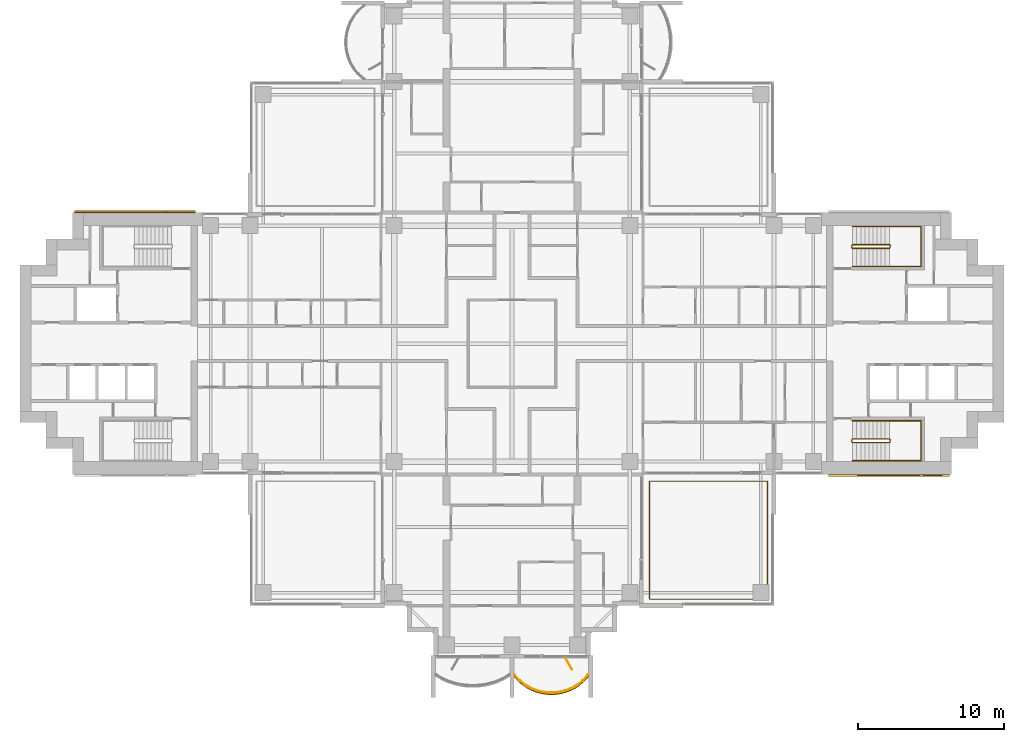
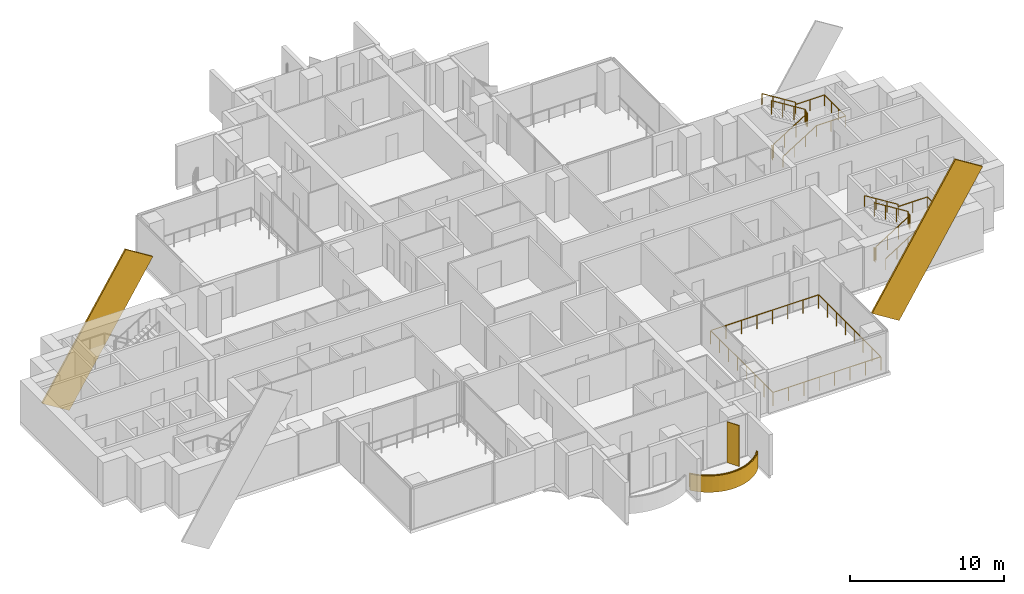
# One storey, part 17 of 19: 6 railings, 3 coverings, 1 shading device.
"""IFC4 building model written with IfcOpenShell, lengths in metres."""

from ifc_helpers import new_model, si_unit, direction, frame, origin, origin_2d, place, context, subcontext, project, spatial, polyline, rectangle, outline, extrude, material, layer, layer_set, material_profile, profile_set, type_object, element, save


model = new_model("IFC4")

# Units and contexts
model_context = context("Model", 3, precision=1e-05, world=origin(), true_north=direction((0.0, 1.0)))
body_context = subcontext(model_context, "Body", "Model", "MODEL_VIEW")
ifc_project = project(units=[si_unit("LENGTHUNIT", "METRE"), si_unit("AREAUNIT", "SQUARE_METRE"), si_unit("VOLUMEUNIT", "CUBIC_METRE"), si_unit("PLANEANGLEUNIT", "RADIAN"), si_unit("MASSUNIT", "GRAM", prefix="KILO")], contexts=[model_context])

# Site, building, storey
site_placement = place(None, origin())
site = spatial("IfcSite", under=ifc_project, at=site_placement, CompositionType="ELEMENT")
building_placement = place(site_placement, origin())
building = spatial("IfcBuilding", under=site, at=building_placement, Name="Perihelion Cross Residences", CompositionType="ELEMENT")
storey_placement = place(building_placement, frame((0.0, 0.0, 105.89990234375)))
storey = spatial("IfcBuildingStorey", under=building, at=storey_placement, Name="L24", CompositionType="ELEMENT", Elevation=105.89990234375)

# Covering
ifc_material_1 = material(Name="Bronze anodised aluminium", Category="aluminium")
ifc_layer_1 = layer(ifc_material_1, 0.070068359375)
ifc_layer_set_1 = layer_set([ifc_layer_1], Name="Balcony fascia 1300")
covering_type_1 = type_object("IfcCoveringType", Name="Balcony fascia 1300", PredefinedType="CLADDING", material=ifc_layer_set_1)
covering_placement = place(storey_placement, frame((0.0, 0.0, -0.199951171875)))
element("IfcCovering", 1, at=covering_placement, inside=storey, type_object=covering_type_1, Name="Fascia BF1 L24 south tip south bay 2", PredefinedType="CLADDING", context=body_context, shape_type="SweptSolid", body=[
    extrude(outline(polyline([(0.4951171875, -23.27392578125), (0.89599609375, -23.58251953125), (1.296875, -23.806396484375), (1.69775390625, -23.9638671875), (2.0986328125, -24.064697265625), (2.49951171875, -24.114013671875), (2.900390625, -24.114013671875), (3.30126953125, -24.064697265625), (3.7021484375, -23.9638671875), (4.10302734375, -23.806396484375), (4.50390625, -23.58251953125), (4.90478515625, -23.27392578125), (5.25, -22.90283203125), (5.25, -22.800048828125), (4.857666015625, -23.22216796875), (4.46533203125, -23.524169921875), (4.072998046875, -23.7431640625), (3.6806640625, -23.897216796875), (3.28857421875, -23.995849609375), (2.896240234375, -24.0439453125), (2.50390625, -24.0439453125), (2.111572265625, -23.995849609375), (1.71923828125, -23.897216796875), (1.326904296875, -23.7431640625), (0.9345703125, -23.524169921875), (0.542236328125, -23.22216796875), (0.14990234375, -22.800048828125), (0.14990234375, -22.90283203125), (0.4951171875, -23.27392578125)])), origin(), (0.0, 0.0, 1.0), 1.300048828125),
])

# Railings
ifc_material_2 = material(Name="Bronze anodised aluminium", Category="aluminium")
railing_type_1 = type_object("IfcRailingType", Name="Balcony guard 1100", PredefinedType="GUARDRAIL", material=ifc_material_2)
railing_1_placement = place(storey_placement, frame((0.175048828125, -22.739990234375, 0.0)))
element("IfcRailing", 2, at=railing_1_placement, inside=storey, type_object=railing_type_1, Name="Guard GU1 L24 south tip south bay 2 balcony", PredefinedType="GUARDRAIL", context=body_context, shape_type="SweptSolid", body=[
    extrude(rectangle(XDim=0.048095703125, YDim=0.048095703125, at=origin_2d()), frame((0.0, 0.0, 1.076171875), z_axis=(0.656308349551, -0.754492776844, 0.0), x_axis=(0.754492776844, 0.656308349551, 0.0)), (0.0, 0.0, 1.0), 0.5595703125),
    extrude(rectangle(XDim=0.048095703125, YDim=0.048095703125, at=origin_2d()), frame((0.3671875, -0.422119140625, 1.076171875), z_axis=(0.792422303655, -0.609972862241, 0.0), x_axis=(0.609972862241, 0.792422303655, 0.0)), (0.0, 0.0, 1.0), 0.4951171875),
    extrude(rectangle(XDim=0.048095703125, YDim=0.048095703125, at=origin_2d()), frame((0.759521484375, -0.72412109375, 1.076171875), z_axis=(0.873181568748, -0.487395063576, 0.0), x_axis=(0.487395063576, 0.873181568748, 0.0)), (0.0, 0.0, 1.0), 0.44921875),
    extrude(rectangle(XDim=0.048095703125, YDim=0.048095703125, at=origin_2d()), frame((1.15185546875, -0.943115234375, 1.076171875), z_axis=(0.930617693705, -0.365992770642, 0.0), x_axis=(0.365992770642, 0.930617693705, 0.0)), (0.0, 0.0, 1.0), 0.421630859375),
    extrude(rectangle(XDim=0.048095703125, YDim=0.048095703125, at=origin_2d()), frame((1.544189453125, -1.097412109375, 1.076171875), z_axis=(0.969964714601, -0.243245662716, 0.0), x_axis=(0.243245662716, 0.969964714601, 0.0)), (0.0, 0.0, 1.0), 0.404541015625),
    extrude(rectangle(XDim=0.048095703125, YDim=0.048095703125, at=origin_2d()), frame((1.9365234375, -1.19580078125, 1.076171875), z_axis=(0.992494874491, -0.122286238425, 0.0), x_axis=(0.122286238425, 0.992494874491, 0.0)), (0.0, 0.0, 1.0), 0.395263671875),
    extrude(rectangle(XDim=0.048095703125, YDim=0.048095703125, at=origin_2d()), frame((2.328857421875, -1.244140625, 1.076171875), z_axis=(1.0, 0.0, 0.0), x_axis=(0.0, 1.0, 0.0)), (0.0, 0.0, 1.0), 0.392333984375),
    extrude(rectangle(XDim=0.048095703125, YDim=0.048095703125, at=origin_2d()), frame((2.72119140625, -1.244140625, 1.076171875), z_axis=(0.992494874491, 0.122286238425, 0.0), x_axis=(-0.122286238425, 0.992494874491, 0.0)), (0.0, 0.0, 1.0), 0.395263671875),
    extrude(rectangle(XDim=0.048095703125, YDim=0.048095703125, at=origin_2d()), frame((3.113525390625, -1.19580078125, 1.076171875), z_axis=(0.96992896989, 0.243388153715, 0.0), x_axis=(-0.243388153715, 0.96992896989, 0.0)), (0.0, 0.0, 1.0), 0.404296875),
    extrude(rectangle(XDim=0.048095703125, YDim=0.048095703125, at=origin_2d()), frame((3.505615234375, -1.097412109375, 1.076171875), z_axis=(0.930617693705, 0.365992770642, 0.0), x_axis=(-0.365992770642, 0.930617693705, 0.0)), (0.0, 0.0, 1.0), 0.421630859375),
    extrude(rectangle(XDim=0.048095703125, YDim=0.048095703125, at=origin_2d()), frame((3.89794921875, -0.943115234375, 1.076171875), z_axis=(0.873181568748, 0.487395063576, 0.0), x_axis=(-0.487395063576, 0.873181568748, 0.0)), (0.0, 0.0, 1.0), 0.44921875),
    extrude(rectangle(XDim=0.048095703125, YDim=0.048095703125, at=origin_2d()), frame((4.290283203125, -0.72412109375, 1.076171875), z_axis=(0.792422303655, 0.609972862241, 0.0), x_axis=(-0.609972862241, 0.792422303655, 0.0)), (0.0, 0.0, 1.0), 0.4951171875),
    extrude(rectangle(XDim=0.048095703125, YDim=0.048095703125, at=origin_2d()), frame((4.6826171875, -0.422119140625, 1.076171875), z_axis=(0.656556653543, 0.754276713606, 0.0), x_axis=(-0.754276713606, 0.656556653543, 0.0)), (0.0, 0.0, 1.0), 0.5595703125),
    extrude(rectangle(XDim=0.0419921875, YDim=0.0419921875, at=origin_2d()), origin(), (0.0, 0.0, 1.0), 1.052001953125),
    extrude(rectangle(XDim=0.0419921875, YDim=0.0419921875, at=origin_2d()), frame((0.3671875, -0.422119140625, 0.0)), (0.0, 0.0, 1.0), 1.052001953125),
    extrude(rectangle(XDim=0.0419921875, YDim=0.0419921875, at=origin_2d()), frame((0.759521484375, -0.72412109375, 0.0)), (0.0, 0.0, 1.0), 1.052001953125),
    extrude(rectangle(XDim=0.0419921875, YDim=0.0419921875, at=origin_2d()), frame((1.15185546875, -0.943115234375, 0.0)), (0.0, 0.0, 1.0), 1.052001953125),
    extrude(rectangle(XDim=0.0419921875, YDim=0.0419921875, at=origin_2d()), frame((1.544189453125, -1.097412109375, 0.0)), (0.0, 0.0, 1.0), 1.052001953125),
    extrude(rectangle(XDim=0.0419921875, YDim=0.0419921875, at=origin_2d()), frame((1.9365234375, -1.19580078125, 0.0)), (0.0, 0.0, 1.0), 1.052001953125),
    extrude(rectangle(XDim=0.0419921875, YDim=0.0419921875, at=origin_2d()), frame((2.328857421875, -1.244140625, 0.0)), (0.0, 0.0, 1.0), 1.052001953125),
    extrude(rectangle(XDim=0.0419921875, YDim=0.0419921875, at=origin_2d()), frame((2.72119140625, -1.244140625, 0.0)), (0.0, 0.0, 1.0), 1.052001953125),
    extrude(rectangle(XDim=0.0419921875, YDim=0.0419921875, at=origin_2d()), frame((3.113525390625, -1.19580078125, 0.0)), (0.0, 0.0, 1.0), 1.052001953125),
    extrude(rectangle(XDim=0.0419921875, YDim=0.0419921875, at=origin_2d()), frame((3.505615234375, -1.097412109375, 0.0)), (0.0, 0.0, 1.0), 1.052001953125),
    extrude(rectangle(XDim=0.0419921875, YDim=0.0419921875, at=origin_2d()), frame((3.89794921875, -0.943115234375, 0.0)), (0.0, 0.0, 1.0), 1.052001953125),
    extrude(rectangle(XDim=0.0419921875, YDim=0.0419921875, at=origin_2d()), frame((4.290283203125, -0.72412109375, 0.0)), (0.0, 0.0, 1.0), 1.052001953125),
    extrude(rectangle(XDim=0.0419921875, YDim=0.0419921875, at=origin_2d()), frame((4.6826171875, -0.422119140625, 0.0)), (0.0, 0.0, 1.0), 1.052001953125),
    extrude(rectangle(XDim=0.0419921875, YDim=0.0419921875, at=origin_2d()), frame((5.050048828125, 0.0, 0.0)), (0.0, 0.0, 1.0), 1.052001953125),
])
railing_2_placement = place(storey_placement, frame((17.550048828125, -17.550048828125, 0.0)))
element("IfcRailing", 3, at=railing_2_placement, inside=storey, type_object=railing_type_1, Name="Guard GU1 L24 pocket south-east 1", PredefinedType="GUARDRAIL", context=body_context, shape_type="SweptSolid", body=[
    extrude(rectangle(XDim=0.048095703125, YDim=0.048095703125, at=origin_2d()), frame((0.0, 0.0, 1.076171875), z_axis=(-1.0, 0.0, 0.0), x_axis=(0.0, -1.0, 0.0)), (0.0, 0.0, 1.0), 8.10009765625),
    extrude(rectangle(XDim=0.048095703125, YDim=0.048095703125, at=origin_2d()), frame((-8.10009765625, 0.0, 1.076171875), z_axis=(0.0, 1.0, 0.0), x_axis=(-1.0, 0.0, 0.0)), (0.0, 0.0, 1.0), 8.10009765625),
    extrude(rectangle(XDim=0.048095703125, YDim=0.048095703125, at=origin_2d()), frame((-8.10009765625, 8.10009765625, 1.076171875), z_axis=(1.0, 0.0, 0.0), x_axis=(0.0, 1.0, 0.0)), (0.0, 0.0, 1.0), 8.10009765625),
    extrude(rectangle(XDim=0.048095703125, YDim=0.048095703125, at=origin_2d()), frame((0.0, 8.10009765625, 1.076171875), z_axis=(0.0, -1.0, 0.0), x_axis=(1.0, 0.0, 0.0)), (0.0, 0.0, 1.0), 8.10009765625),
    extrude(rectangle(XDim=0.0419921875, YDim=0.0419921875, at=origin_2d()), origin(), (0.0, 0.0, 1.0), 1.052001953125),
    extrude(rectangle(XDim=0.0419921875, YDim=0.0419921875, at=origin_2d()), frame((-1.1572265625, 0.0, 0.0)), (0.0, 0.0, 1.0), 1.052001953125),
    extrude(rectangle(XDim=0.0419921875, YDim=0.0419921875, at=origin_2d()), frame((-2.314208984375, 0.0, 0.0)), (0.0, 0.0, 1.0), 1.052001953125),
    extrude(rectangle(XDim=0.0419921875, YDim=0.0419921875, at=origin_2d()), frame((-3.471435546875, 0.0, 0.0)), (0.0, 0.0, 1.0), 1.052001953125),
    extrude(rectangle(XDim=0.0419921875, YDim=0.0419921875, at=origin_2d()), frame((-4.628662109375, 0.0, 0.0)), (0.0, 0.0, 1.0), 1.052001953125),
    extrude(rectangle(XDim=0.0419921875, YDim=0.0419921875, at=origin_2d()), frame((-5.785888671875, 0.0, 0.0)), (0.0, 0.0, 1.0), 1.052001953125),
    extrude(rectangle(XDim=0.0419921875, YDim=0.0419921875, at=origin_2d()), frame((-6.94287109375, 0.0, 0.0)), (0.0, 0.0, 1.0), 1.052001953125),
    extrude(rectangle(XDim=0.0419921875, YDim=0.0419921875, at=origin_2d()), frame((-8.10009765625, 0.0, 0.0)), (0.0, 0.0, 1.0), 1.052001953125),
    extrude(rectangle(XDim=0.0419921875, YDim=0.0419921875, at=origin_2d()), frame((-8.10009765625, 1.1572265625, 0.0)), (0.0, 0.0, 1.0), 1.052001953125),
    extrude(rectangle(XDim=0.0419921875, YDim=0.0419921875, at=origin_2d()), frame((-8.10009765625, 2.314208984375, 0.0)), (0.0, 0.0, 1.0), 1.052001953125),
    extrude(rectangle(XDim=0.0419921875, YDim=0.0419921875, at=origin_2d()), frame((-8.10009765625, 3.471435546875, 0.0)), (0.0, 0.0, 1.0), 1.052001953125),
    extrude(rectangle(XDim=0.0419921875, YDim=0.0419921875, at=origin_2d()), frame((-8.10009765625, 4.628662109375, 0.0)), (0.0, 0.0, 1.0), 1.052001953125),
    extrude(rectangle(XDim=0.0419921875, YDim=0.0419921875, at=origin_2d()), frame((-8.10009765625, 5.785888671875, 0.0)), (0.0, 0.0, 1.0), 1.052001953125),
    extrude(rectangle(XDim=0.0419921875, YDim=0.0419921875, at=origin_2d()), frame((-8.10009765625, 6.94287109375, 0.0)), (0.0, 0.0, 1.0), 1.052001953125),
    extrude(rectangle(XDim=0.0419921875, YDim=0.0419921875, at=origin_2d()), frame((-8.10009765625, 8.10009765625, 0.0)), (0.0, 0.0, 1.0), 1.052001953125),
    extrude(rectangle(XDim=0.0419921875, YDim=0.0419921875, at=origin_2d()), frame((-6.94287109375, 8.10009765625, 0.0)), (0.0, 0.0, 1.0), 1.052001953125),
    extrude(rectangle(XDim=0.0419921875, YDim=0.0419921875, at=origin_2d()), frame((-5.785888671875, 8.10009765625, 0.0)), (0.0, 0.0, 1.0), 1.052001953125),
    extrude(rectangle(XDim=0.0419921875, YDim=0.0419921875, at=origin_2d()), frame((-4.628662109375, 8.10009765625, 0.0)), (0.0, 0.0, 1.0), 1.052001953125),
    extrude(rectangle(XDim=0.0419921875, YDim=0.0419921875, at=origin_2d()), frame((-3.471435546875, 8.10009765625, 0.0)), (0.0, 0.0, 1.0), 1.052001953125),
    extrude(rectangle(XDim=0.0419921875, YDim=0.0419921875, at=origin_2d()), frame((-2.314208984375, 8.10009765625, 0.0)), (0.0, 0.0, 1.0), 1.052001953125),
    extrude(rectangle(XDim=0.0419921875, YDim=0.0419921875, at=origin_2d()), frame((-1.1572265625, 8.10009765625, 0.0)), (0.0, 0.0, 1.0), 1.052001953125),
    extrude(rectangle(XDim=0.0419921875, YDim=0.0419921875, at=origin_2d()), frame((0.0, 8.10009765625, 0.0)), (0.0, 0.0, 1.0), 1.052001953125),
    extrude(rectangle(XDim=0.0419921875, YDim=0.0419921875, at=origin_2d()), frame((0.0, 6.94287109375, 0.0)), (0.0, 0.0, 1.0), 1.052001953125),
    extrude(rectangle(XDim=0.0419921875, YDim=0.0419921875, at=origin_2d()), frame((0.0, 5.785888671875, 0.0)), (0.0, 0.0, 1.0), 1.052001953125),
    extrude(rectangle(XDim=0.0419921875, YDim=0.0419921875, at=origin_2d()), frame((0.0, 4.628662109375, 0.0)), (0.0, 0.0, 1.0), 1.052001953125),
    extrude(rectangle(XDim=0.0419921875, YDim=0.0419921875, at=origin_2d()), frame((0.0, 3.471435546875, 0.0)), (0.0, 0.0, 1.0), 1.052001953125),
    extrude(rectangle(XDim=0.0419921875, YDim=0.0419921875, at=origin_2d()), frame((0.0, 2.314208984375, 0.0)), (0.0, 0.0, 1.0), 1.052001953125),
    extrude(rectangle(XDim=0.0419921875, YDim=0.0419921875, at=origin_2d()), frame((0.0, 1.1572265625, 0.0)), (0.0, 0.0, 1.0), 1.052001953125),
])

# Coverings
ifc_material_3 = material(Name="Bronze anodised aluminium", Category="aluminium")
ifc_material_profile = material_profile(ifc_material_3, rectangle(XDim=0.125, YDim=2.39990234375, at=origin_2d()), Name="Bronze cladding band 2400")
ifc_profile_set = profile_set([ifc_material_profile], Name="Bronze anodised aluminium")
covering_type_2 = type_object("IfcCoveringType", Name="Bronze cladding band 2400", PredefinedType="CLADDING", material=ifc_profile_set)
for number, where, z_axis, x_axis, name in (
    (4, (22.767578125, -9.0625, -2.714111328125), (0.529915403603, 0.0, 0.848050508534), (0.0, 1.0, 0.0), "Core cladding band, east core"),
    (5, (-29.0322265625, 9.0625, -2.714111328125), (0.529915403603, 0.0, 0.848050508534), (0.0, 1.0, 0.0), "Core cladding band, west core"),
):
    element("IfcCovering", number, at=place(storey_placement, frame(where, z_axis=z_axis, x_axis=x_axis)), inside=storey, type_object=covering_type_2, Name=name, PredefinedType="CLADDING", context=body_context, shape_type="SweptSolid", body=[
        extrude(rectangle(XDim=0.125, YDim=2.39990234375, at=origin_2d()), origin(), (0.0, 0.0, 1.0), 11.822021484375),
    ])

# Shading device
ifc_material_4 = material(Name="Bronze anodised aluminium", Category="aluminium")
ifc_layer_2 = layer(ifc_material_4, 0.050048828125)
ifc_layer_set_2 = layer_set([ifc_layer_2], Name="Bronze fin 900")
shading_device_type = type_object("IfcShadingDeviceType", Name="Bronze fin 900", PredefinedType="USERDEFINED", material=ifc_layer_set_2)
shading_device_placement = place(storey_placement, frame((3.89990234375, -21.98974609375, 0.0), z_axis=(0.0, 0.0, 1.0), x_axis=(0.5, -0.866025403784, 0.0)))
element("IfcShadingDevice", 6, at=shading_device_placement, inside=storey, type_object=shading_device_type, Name="Fin FN1 L24 south tip south bay 2", ObjectType="FIN", PredefinedType="USERDEFINED", context=body_context, shape_type="SweptSolid", body=[
    extrude(rectangle(XDim=0.89990234375, YDim=0.050048828125, at=origin_2d()), origin(), (0.0, 0.0, 1.0), 3.25),
])

# Railings
ifc_material_5 = material(Name="Stainless steel", Category="steel")
railing_type_2 = type_object("IfcRailingType", Name="Stair guard 1100", PredefinedType="GUARDRAIL", material=ifc_material_5)
railing_3_placement = place(storey_placement, frame((23.35009765625, 6.75, 0.0)))
element("IfcRailing", 7, at=railing_3_placement, inside=storey, type_object=railing_type_2, Name="L24 ST-E1 stair guard 1", PredefinedType="GUARDRAIL", context=body_context, shape_type="SweptSolid", body=[
    extrude(rectangle(XDim=0.048095703125, YDim=0.048095703125, at=origin_2d()), frame((0.0, 0.0, 1.076171875), z_axis=(0.0, -1.0, 0.0), x_axis=(1.0, 0.0, 0.0)), (0.0, 0.0, 1.0), 0.14990234375),
    extrude(rectangle(XDim=0.048095703125, YDim=0.048095703125, at=origin_2d()), frame((0.0, -0.14990234375, 1.076171875), z_axis=(0.263862480399, -0.265155923931, 0.927399011991), x_axis=(0.708833529934, 0.705375805398, 0.0)), (0.0, 0.0, 1.0), 0.188720703125),
    extrude(rectangle(XDim=0.048095703125, YDim=0.048095703125, at=origin_2d()), frame((0.0498046875, -0.199951171875, 1.2509765625), z_axis=(0.848007534815, 0.0, 0.529984170421), x_axis=(0.0, 1.0, 0.0)), (0.0, 0.0, 1.0), 2.9716796875),
    extrude(rectangle(XDim=0.048095703125, YDim=0.048095703125, at=origin_2d()), frame((2.56982421875, -0.199951171875, 2.826171875), z_axis=(0.707106781187, 0.707106781187, 0.0), x_axis=(-0.707106781187, 0.707106781187, 0.0)), (0.0, 0.0, 1.0), 0.07080078125),
    extrude(rectangle(XDim=0.048095703125, YDim=0.048095703125, at=origin_2d()), frame((2.619873046875, -0.14990234375, 2.826171875), z_axis=(0.0, 1.0, 0.0), x_axis=(-1.0, 0.0, 0.0)), (0.0, 0.0, 1.0), 0.14990234375),
    extrude(rectangle(XDim=0.048095703125, YDim=0.048095703125, at=origin_2d()), frame((2.619873046875, 0.0, 2.826171875), z_axis=(-0.265065253269, 0.265065253269, 0.927081885822), x_axis=(-0.707106781187, -0.707106781187, 0.0)), (0.0, 0.0, 1.0), 0.188720703125),
    extrude(rectangle(XDim=0.048095703125, YDim=0.048095703125, at=origin_2d()), frame((2.56982421875, 0.050048828125, 3.0009765625), z_axis=(-0.848007534815, 0.0, 0.529984170421), x_axis=(0.0, -1.0, 0.0)), (0.0, 0.0, 1.0), 2.9716796875),
    extrude(rectangle(XDim=0.0419921875, YDim=0.0419921875, at=origin_2d()), origin(), (0.0, 0.0, 1.0), 1.052001953125),
    extrude(rectangle(XDim=0.0419921875, YDim=0.0419921875, at=origin_2d()), frame((0.0, -0.14990234375, 0.0)), (0.0, 0.0, 1.0), 1.052001953125),
    extrude(rectangle(XDim=0.0419921875, YDim=0.0419921875, at=origin_2d()), frame((0.0498046875, -0.199951171875, 0.175048828125)), (0.0, 0.0, 1.0), 1.052001953125),
    extrude(rectangle(XDim=0.0419921875, YDim=0.0419921875, at=origin_2d()), frame((0.889892578125, -0.199951171875, 0.699951171875)), (0.0, 0.0, 1.0), 1.052001953125),
    extrude(rectangle(XDim=0.0419921875, YDim=0.0419921875, at=origin_2d()), frame((1.729736328125, -0.199951171875, 1.22509765625)), (0.0, 0.0, 1.0), 1.052001953125),
    extrude(rectangle(XDim=0.0419921875, YDim=0.0419921875, at=origin_2d()), frame((2.56982421875, -0.199951171875, 1.75)), (0.0, 0.0, 1.0), 1.052001953125),
    extrude(rectangle(XDim=0.0419921875, YDim=0.0419921875, at=origin_2d()), frame((2.619873046875, -0.14990234375, 1.75)), (0.0, 0.0, 1.0), 1.052001953125),
    extrude(rectangle(XDim=0.0419921875, YDim=0.0419921875, at=origin_2d()), frame((2.619873046875, 0.0, 1.75)), (0.0, 0.0, 1.0), 1.052001953125),
    extrude(rectangle(XDim=0.0419921875, YDim=0.0419921875, at=origin_2d()), frame((2.56982421875, 0.050048828125, 1.925048828125)), (0.0, 0.0, 1.0), 1.052001953125),
    extrude(rectangle(XDim=0.0419921875, YDim=0.0419921875, at=origin_2d()), frame((1.729736328125, 0.050048828125, 2.449951171875)), (0.0, 0.0, 1.0), 1.052001953125),
    extrude(rectangle(XDim=0.0419921875, YDim=0.0419921875, at=origin_2d()), frame((0.889892578125, 0.050048828125, 2.97509765625)), (0.0, 0.0, 1.0), 1.052001953125),
    extrude(rectangle(XDim=0.0419921875, YDim=0.0419921875, at=origin_2d()), frame((0.0498046875, 0.050048828125, 3.5)), (0.0, 0.0, 1.0), 1.052001953125),
])
railing_4_placement = place(storey_placement, frame((23.35009765625, -6.60009765625, 0.0)))
element("IfcRailing", 8, at=railing_4_placement, inside=storey, type_object=railing_type_2, Name="L24 ST-E2 stair guard 1", PredefinedType="GUARDRAIL", context=body_context, shape_type="SweptSolid", body=[
    extrude(rectangle(XDim=0.048095703125, YDim=0.048095703125, at=origin_2d()), frame((0.0, 0.0, 1.076171875), z_axis=(0.0, -1.0, 0.0), x_axis=(1.0, 0.0, 0.0)), (0.0, 0.0, 1.0), 0.14990234375),
    extrude(rectangle(XDim=0.048095703125, YDim=0.048095703125, at=origin_2d()), frame((0.0, -0.14990234375, 1.076171875), z_axis=(0.263862480399, -0.265155923931, 0.927399011991), x_axis=(0.708833529934, 0.705375805398, 0.0)), (0.0, 0.0, 1.0), 0.188720703125),
    extrude(rectangle(XDim=0.048095703125, YDim=0.048095703125, at=origin_2d()), frame((0.0498046875, -0.199951171875, 1.2509765625), z_axis=(0.848007534815, 0.0, 0.529984170421), x_axis=(0.0, 1.0, 0.0)), (0.0, 0.0, 1.0), 2.9716796875),
    extrude(rectangle(XDim=0.048095703125, YDim=0.048095703125, at=origin_2d()), frame((2.56982421875, -0.199951171875, 2.826171875), z_axis=(0.707106781187, 0.707106781187, 0.0), x_axis=(-0.707106781187, 0.707106781187, 0.0)), (0.0, 0.0, 1.0), 0.07080078125),
    extrude(rectangle(XDim=0.048095703125, YDim=0.048095703125, at=origin_2d()), frame((2.619873046875, -0.14990234375, 2.826171875), z_axis=(0.0, 1.0, 0.0), x_axis=(-1.0, 0.0, 0.0)), (0.0, 0.0, 1.0), 0.14990234375),
    extrude(rectangle(XDim=0.048095703125, YDim=0.048095703125, at=origin_2d()), frame((2.619873046875, 0.0, 2.826171875), z_axis=(-0.265065253269, 0.265065253269, 0.927081885822), x_axis=(-0.707106781187, -0.707106781187, 0.0)), (0.0, 0.0, 1.0), 0.188720703125),
    extrude(rectangle(XDim=0.048095703125, YDim=0.048095703125, at=origin_2d()), frame((2.56982421875, 0.050048828125, 3.0009765625), z_axis=(-0.848007534815, 0.0, 0.529984170421), x_axis=(0.0, -1.0, 0.0)), (0.0, 0.0, 1.0), 2.9716796875),
    extrude(rectangle(XDim=0.0419921875, YDim=0.0419921875, at=origin_2d()), origin(), (0.0, 0.0, 1.0), 1.052001953125),
    extrude(rectangle(XDim=0.0419921875, YDim=0.0419921875, at=origin_2d()), frame((0.0, -0.14990234375, 0.0)), (0.0, 0.0, 1.0), 1.052001953125),
    extrude(rectangle(XDim=0.0419921875, YDim=0.0419921875, at=origin_2d()), frame((0.0498046875, -0.199951171875, 0.175048828125)), (0.0, 0.0, 1.0), 1.052001953125),
    extrude(rectangle(XDim=0.0419921875, YDim=0.0419921875, at=origin_2d()), frame((0.889892578125, -0.199951171875, 0.699951171875)), (0.0, 0.0, 1.0), 1.052001953125),
    extrude(rectangle(XDim=0.0419921875, YDim=0.0419921875, at=origin_2d()), frame((1.729736328125, -0.199951171875, 1.22509765625)), (0.0, 0.0, 1.0), 1.052001953125),
    extrude(rectangle(XDim=0.0419921875, YDim=0.0419921875, at=origin_2d()), frame((2.56982421875, -0.199951171875, 1.75)), (0.0, 0.0, 1.0), 1.052001953125),
    extrude(rectangle(XDim=0.0419921875, YDim=0.0419921875, at=origin_2d()), frame((2.619873046875, -0.14990234375, 1.75)), (0.0, 0.0, 1.0), 1.052001953125),
    extrude(rectangle(XDim=0.0419921875, YDim=0.0419921875, at=origin_2d()), frame((2.619873046875, 0.0, 1.75)), (0.0, 0.0, 1.0), 1.052001953125),
    extrude(rectangle(XDim=0.0419921875, YDim=0.0419921875, at=origin_2d()), frame((2.56982421875, 0.050048828125, 1.925048828125)), (0.0, 0.0, 1.0), 1.052001953125),
    extrude(rectangle(XDim=0.0419921875, YDim=0.0419921875, at=origin_2d()), frame((1.729736328125, 0.050048828125, 2.449951171875)), (0.0, 0.0, 1.0), 1.052001953125),
    extrude(rectangle(XDim=0.0419921875, YDim=0.0419921875, at=origin_2d()), frame((0.889892578125, 0.050048828125, 2.97509765625)), (0.0, 0.0, 1.0), 1.052001953125),
    extrude(rectangle(XDim=0.0419921875, YDim=0.0419921875, at=origin_2d()), frame((0.0498046875, 0.050048828125, 3.5)), (0.0, 0.0, 1.0), 1.052001953125),
])
ifc_material_6 = material(Name="Stainless steel", Category="steel")
railing_type_3 = type_object("IfcRailingType", Name="Stair handrail 900", PredefinedType="HANDRAIL", material=ifc_material_6)
railing_5_placement = place(storey_placement, frame((23.39990234375, 5.300048828125, 0.175048828125)))
element("IfcRailing", 9, at=railing_5_placement, inside=storey, type_object=railing_type_3, Name="L24 ST-E1 stair handrail 1", PredefinedType="HANDRAIL", context=body_context, shape_type="SweptSolid", body=[
    extrude(rectangle(XDim=0.048095703125, YDim=0.048095703125, at=origin_2d()), frame((0.0, 0.0, 0.8759765625), z_axis=(0.848007534815, 0.0, 0.529984170421), x_axis=(0.0, 1.0, 0.0)), (0.0, 0.0, 1.0), 2.9716796875),
    extrude(rectangle(XDim=0.048095703125, YDim=0.048095703125, at=origin_2d()), frame((2.52001953125, 0.0, 2.45068359375), z_axis=(1.0, 0.0, 0.0), x_axis=(0.0, 1.0, 0.0)), (0.0, 0.0, 1.0), 2.18017578125),
    extrude(rectangle(XDim=0.048095703125, YDim=0.048095703125, at=origin_2d()), frame((4.7001953125, 0.0, 2.45068359375), z_axis=(0.0, 1.0, 0.0), x_axis=(-1.0, 0.0, 0.0)), (0.0, 0.0, 1.0), 2.75),
    extrude(rectangle(XDim=0.048095703125, YDim=0.048095703125, at=origin_2d()), frame((4.7001953125, 2.75, 2.45068359375), z_axis=(-1.0, 0.0, 0.0), x_axis=(0.0, -1.0, 0.0)), (0.0, 0.0, 1.0), 2.18017578125),
    extrude(rectangle(XDim=0.048095703125, YDim=0.048095703125, at=origin_2d()), frame((2.52001953125, 2.75, 2.45068359375), z_axis=(0.0, 0.0, 1.0), x_axis=(1.0, 0.0, 0.0)), (0.0, 0.0, 1.0), 0.175048828125),
    extrude(rectangle(XDim=0.048095703125, YDim=0.048095703125, at=origin_2d()), frame((2.52001953125, 2.75, 2.6259765625), z_axis=(-0.848007534815, 0.0, 0.529984170421), x_axis=(0.0, -1.0, 0.0)), (0.0, 0.0, 1.0), 2.9716796875),
    extrude(rectangle(XDim=0.0419921875, YDim=0.0419921875, at=origin_2d()), origin(), (0.0, 0.0, 1.0), 0.851806640625),
    extrude(rectangle(XDim=0.0419921875, YDim=0.0419921875, at=origin_2d()), frame((0.840087890625, 0.0, 0.52490234375)), (0.0, 0.0, 1.0), 0.851806640625),
    extrude(rectangle(XDim=0.0419921875, YDim=0.0419921875, at=origin_2d()), frame((1.679931640625, 0.0, 1.050048828125)), (0.0, 0.0, 1.0), 0.851806640625),
    extrude(rectangle(XDim=0.0419921875, YDim=0.0419921875, at=origin_2d()), frame((2.52001953125, 0.0, 1.574951171875)), (0.0, 0.0, 1.0), 0.851806640625),
    extrude(rectangle(XDim=0.0419921875, YDim=0.0419921875, at=origin_2d()), frame((3.610107421875, 0.0, 1.574951171875)), (0.0, 0.0, 1.0), 0.851806640625),
    extrude(rectangle(XDim=0.0419921875, YDim=0.0419921875, at=origin_2d()), frame((4.7001953125, 0.0, 1.574951171875)), (0.0, 0.0, 1.0), 0.851806640625),
    extrude(rectangle(XDim=0.0419921875, YDim=0.0419921875, at=origin_2d()), frame((4.7001953125, 0.916748046875, 1.574951171875)), (0.0, 0.0, 1.0), 0.851806640625),
    extrude(rectangle(XDim=0.0419921875, YDim=0.0419921875, at=origin_2d()), frame((4.7001953125, 1.833251953125, 1.574951171875)), (0.0, 0.0, 1.0), 0.851806640625),
    extrude(rectangle(XDim=0.0419921875, YDim=0.0419921875, at=origin_2d()), frame((4.7001953125, 2.75, 1.574951171875)), (0.0, 0.0, 1.0), 0.851806640625),
    extrude(rectangle(XDim=0.0419921875, YDim=0.0419921875, at=origin_2d()), frame((3.610107421875, 2.75, 1.574951171875)), (0.0, 0.0, 1.0), 0.851806640625),
    extrude(rectangle(XDim=0.0419921875, YDim=0.0419921875, at=origin_2d()), frame((2.52001953125, 2.75, 1.574951171875)), (0.0, 0.0, 1.0), 0.851806640625),
    extrude(rectangle(XDim=0.0419921875, YDim=0.0419921875, at=origin_2d()), frame((2.52001953125, 2.75, 1.75)), (0.0, 0.0, 1.0), 0.851806640625),
    extrude(rectangle(XDim=0.0419921875, YDim=0.0419921875, at=origin_2d()), frame((1.679931640625, 2.75, 2.27490234375)), (0.0, 0.0, 1.0), 0.851806640625),
    extrude(rectangle(XDim=0.0419921875, YDim=0.0419921875, at=origin_2d()), frame((0.840087890625, 2.75, 2.800048828125)), (0.0, 0.0, 1.0), 0.851806640625),
    extrude(rectangle(XDim=0.0419921875, YDim=0.0419921875, at=origin_2d()), frame((0.0, 2.75, 3.324951171875)), (0.0, 0.0, 1.0), 0.851806640625),
])
railing_6_placement = place(storey_placement, frame((23.39990234375, -8.050048828125, 0.175048828125)))
element("IfcRailing", 10, at=railing_6_placement, inside=storey, type_object=railing_type_3, Name="L24 ST-E2 stair handrail 1", PredefinedType="HANDRAIL", context=body_context, shape_type="SweptSolid", body=[
    extrude(rectangle(XDim=0.048095703125, YDim=0.048095703125, at=origin_2d()), frame((0.0, 0.0, 0.8759765625), z_axis=(0.848007534815, 0.0, 0.529984170421), x_axis=(0.0, 1.0, 0.0)), (0.0, 0.0, 1.0), 2.9716796875),
    extrude(rectangle(XDim=0.048095703125, YDim=0.048095703125, at=origin_2d()), frame((2.52001953125, 0.0, 2.45068359375), z_axis=(1.0, 0.0, 0.0), x_axis=(0.0, 1.0, 0.0)), (0.0, 0.0, 1.0), 2.18017578125),
    extrude(rectangle(XDim=0.048095703125, YDim=0.048095703125, at=origin_2d()), frame((4.7001953125, 0.0, 2.45068359375), z_axis=(0.0, 1.0, 0.0), x_axis=(-1.0, 0.0, 0.0)), (0.0, 0.0, 1.0), 2.75),
    extrude(rectangle(XDim=0.048095703125, YDim=0.048095703125, at=origin_2d()), frame((4.7001953125, 2.75, 2.45068359375), z_axis=(-1.0, 0.0, 0.0), x_axis=(0.0, -1.0, 0.0)), (0.0, 0.0, 1.0), 2.18017578125),
    extrude(rectangle(XDim=0.048095703125, YDim=0.048095703125, at=origin_2d()), frame((2.52001953125, 2.75, 2.45068359375), z_axis=(0.0, 0.0, 1.0), x_axis=(1.0, 0.0, 0.0)), (0.0, 0.0, 1.0), 0.175048828125),
    extrude(rectangle(XDim=0.048095703125, YDim=0.048095703125, at=origin_2d()), frame((2.52001953125, 2.75, 2.6259765625), z_axis=(-0.848007534815, 0.0, 0.529984170421), x_axis=(0.0, -1.0, 0.0)), (0.0, 0.0, 1.0), 2.9716796875),
    extrude(rectangle(XDim=0.0419921875, YDim=0.0419921875, at=origin_2d()), origin(), (0.0, 0.0, 1.0), 0.851806640625),
    extrude(rectangle(XDim=0.0419921875, YDim=0.0419921875, at=origin_2d()), frame((0.840087890625, 0.0, 0.52490234375)), (0.0, 0.0, 1.0), 0.851806640625),
    extrude(rectangle(XDim=0.0419921875, YDim=0.0419921875, at=origin_2d()), frame((1.679931640625, 0.0, 1.050048828125)), (0.0, 0.0, 1.0), 0.851806640625),
    extrude(rectangle(XDim=0.0419921875, YDim=0.0419921875, at=origin_2d()), frame((2.52001953125, 0.0, 1.574951171875)), (0.0, 0.0, 1.0), 0.851806640625),
    extrude(rectangle(XDim=0.0419921875, YDim=0.0419921875, at=origin_2d()), frame((3.610107421875, 0.0, 1.574951171875)), (0.0, 0.0, 1.0), 0.851806640625),
    extrude(rectangle(XDim=0.0419921875, YDim=0.0419921875, at=origin_2d()), frame((4.7001953125, 0.0, 1.574951171875)), (0.0, 0.0, 1.0), 0.851806640625),
    extrude(rectangle(XDim=0.0419921875, YDim=0.0419921875, at=origin_2d()), frame((4.7001953125, 0.916748046875, 1.574951171875)), (0.0, 0.0, 1.0), 0.851806640625),
    extrude(rectangle(XDim=0.0419921875, YDim=0.0419921875, at=origin_2d()), frame((4.7001953125, 1.833251953125, 1.574951171875)), (0.0, 0.0, 1.0), 0.851806640625),
    extrude(rectangle(XDim=0.0419921875, YDim=0.0419921875, at=origin_2d()), frame((4.7001953125, 2.75, 1.574951171875)), (0.0, 0.0, 1.0), 0.851806640625),
    extrude(rectangle(XDim=0.0419921875, YDim=0.0419921875, at=origin_2d()), frame((3.610107421875, 2.75, 1.574951171875)), (0.0, 0.0, 1.0), 0.851806640625),
    extrude(rectangle(XDim=0.0419921875, YDim=0.0419921875, at=origin_2d()), frame((2.52001953125, 2.75, 1.574951171875)), (0.0, 0.0, 1.0), 0.851806640625),
    extrude(rectangle(XDim=0.0419921875, YDim=0.0419921875, at=origin_2d()), frame((2.52001953125, 2.75, 1.75)), (0.0, 0.0, 1.0), 0.851806640625),
    extrude(rectangle(XDim=0.0419921875, YDim=0.0419921875, at=origin_2d()), frame((1.679931640625, 2.75, 2.27490234375)), (0.0, 0.0, 1.0), 0.851806640625),
    extrude(rectangle(XDim=0.0419921875, YDim=0.0419921875, at=origin_2d()), frame((0.840087890625, 2.75, 2.800048828125)), (0.0, 0.0, 1.0), 0.851806640625),
    extrude(rectangle(XDim=0.0419921875, YDim=0.0419921875, at=origin_2d()), frame((0.0, 2.75, 3.324951171875)), (0.0, 0.0, 1.0), 0.851806640625),
])

save(model, "model.ifc")
